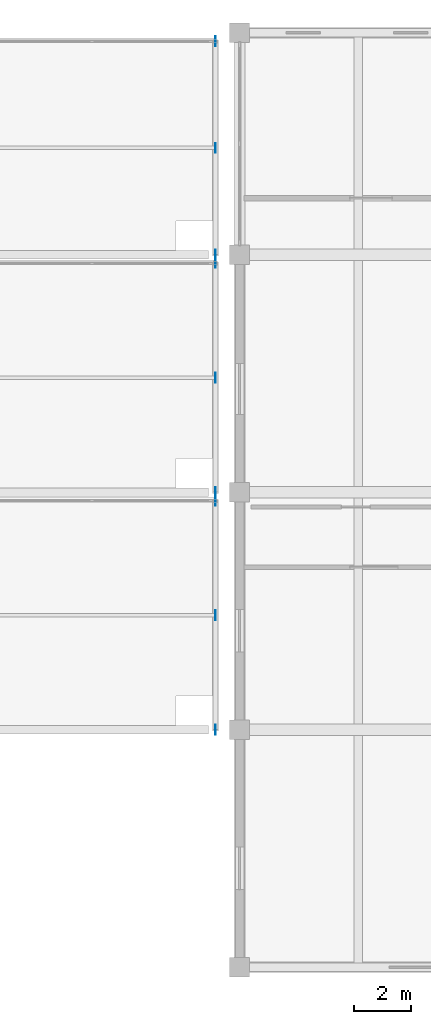
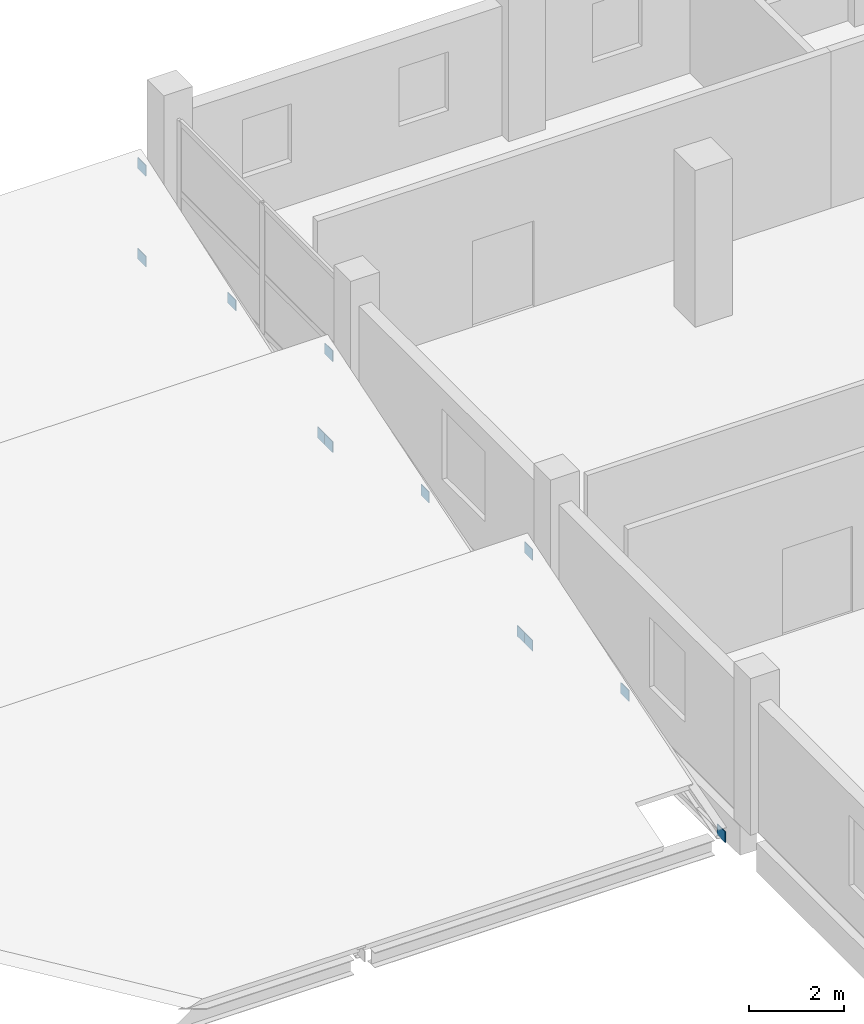
# One storey, part 36 of 40: 12 plates.
"""IFC4 building model written with IfcOpenShell, lengths in metres."""

from ifc_helpers import new_model, si_unit, direction, frame, origin, origin_2d, place, context, subcontext, project, spatial, rectangle, extrude, material, layer, layer_set, type_object, element, save


model = new_model("IFC4")

# Units and contexts
model_context = context("Model", 3, precision=1e-05, world=origin(), true_north=direction((0.0, 1.0)))
body_context = subcontext(model_context, "Body", "Model", "MODEL_VIEW")
ifc_project = project(units=[si_unit("LENGTHUNIT", "METRE"), si_unit("AREAUNIT", "SQUARE_METRE"), si_unit("VOLUMEUNIT", "CUBIC_METRE"), si_unit("PLANEANGLEUNIT", "RADIAN"), si_unit("MASSUNIT", "GRAM", prefix="KILO")], contexts=[model_context])

# Site, building, storey
site_placement = place(None, origin())
site = spatial("IfcSite", under=ifc_project, at=site_placement, CompositionType="ELEMENT")
building_placement = place(site_placement, origin())
building = spatial("IfcBuilding", under=site, at=building_placement, Name="Brinegate Botanical Conservatory", CompositionType="ELEMENT")
storey_placement = place(building_placement, frame((0.0, 0.0, 19.199951171875)))
storey = spatial("IfcBuildingStorey", under=building, at=storey_placement, Name="L05", CompositionType="ELEMENT", Elevation=19.199951171875)

# Plates
ifc_material = material(Name="Welded node steel Q355GJ / S355", Category="steel")
ifc_layer = layer(ifc_material, 0.01806640625, Name="Welded node steel Q355GJ / S355", Category="steel")
ifc_layer_set = layer_set([ifc_layer], Name="Welded node steel Q355GJ / S355")
plate_type = type_object("IfcPlateType", Name="Plate_GS-02", PredefinedType="USERDEFINED", material=ifc_layer_set)
for number, where, z_axis, x_axis, name in (
    (1, (121.14990234375, 86.800048828125, -0.1201171875), (0.0, 0.0, 1.0), (1.0, 0.0, 0.0), "Sawtooth truss gusset node GS-02 B1.T9.S"),
    (2, (121.14990234375, 94.89990234375, -0.1201171875), (0.0, 0.0, 1.0), (1.0, 0.0, 0.0), "Sawtooth truss gusset node GS-02 B1.T9.NB"),
    (3, (121.14990234375, 94.89990234375, 2.2099609375), (0.0, 0.0, 1.0), (1.0, 0.0, 0.0), "Sawtooth truss gusset node GS-02 B1.T9.NT"),
    (4, (121.14990234375, 90.85009765625, 1.044921875), (0.0, 0.0, 1.0), (1.0, 0.0, 0.0), "Sawtooth truss gusset node GS-02 B1.T9.M"),
    (5, (121.14990234375, 95.199951171875, -0.1201171875), (0.0, 0.0, 1.0), (1.0, 0.0, 0.0), "Sawtooth truss gusset node GS-02 B2.T9.S"),
    (6, (121.14990234375, 103.300048828125, -0.1201171875), (0.0, 0.0, 1.0), (1.0, 0.0, 0.0), "Sawtooth truss gusset node GS-02 B2.T9.NB"),
    (7, (121.14990234375, 103.300048828125, 2.2099609375), (0.0, 0.0, 1.0), (1.0, 0.0, 0.0), "Sawtooth truss gusset node GS-02 B2.T9.NT"),
    (8, (121.14990234375, 99.25, 1.044921875), (0.0, 0.0, 1.0), (1.0, 0.0, 0.0), "Sawtooth truss gusset node GS-02 B2.T9.M"),
    (9, (121.14990234375, 103.60009765625, -0.1201171875), (0.0, 0.0, 1.0), (1.0, 0.0, 0.0), "Sawtooth truss gusset node GS-02 B3.T9.S"),
    (10, (121.14990234375, 111.14990234375, -0.1201171875), (0.0, 0.0, 1.0), (1.0, 0.0, 0.0), "Sawtooth truss gusset node GS-02 B3.T9.NB"),
    (11, (121.14990234375, 111.14990234375, 2.2099609375), (0.0, 0.0, 1.0), (1.0, 0.0, 0.0), "Sawtooth truss gusset node GS-02 B3.T9.NT"),
    (12, (121.14990234375, 107.375, 1.044921875), (0.0, 0.0, 1.0), (1.0, 0.0, 0.0), "Sawtooth truss gusset node GS-02 B3.T9.M"),
):
    element("IfcPlate", number, at=place(storey_placement, frame(where, z_axis=z_axis, x_axis=x_axis)), inside=storey, type_object=plate_type, Name=name, ObjectType="GUSSET PLATE", PredefinedType="USERDEFINED", context=body_context, shape_type="SweptSolid", body=[
        extrude(rectangle(XDim=0.01806640625, YDim=0.340087890625, at=origin_2d()), origin(), (0.0, 0.0, 1.0), 0.280029296875),
    ])

save(model, "model.ifc")
